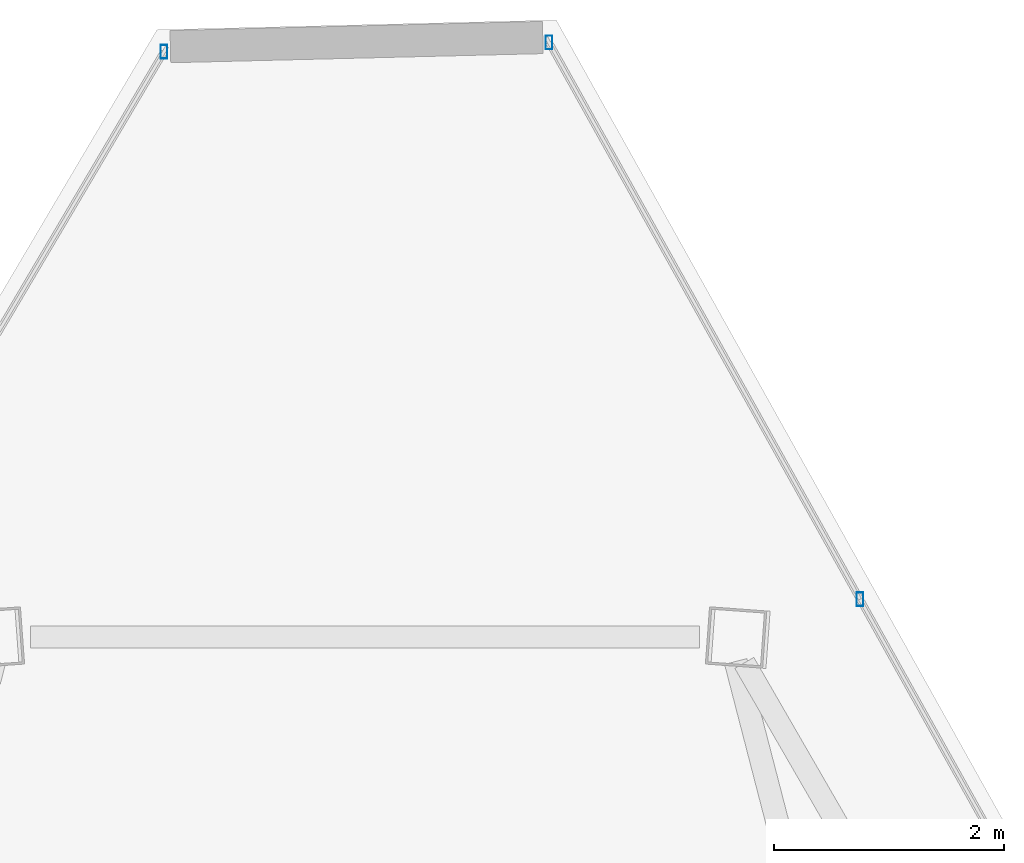
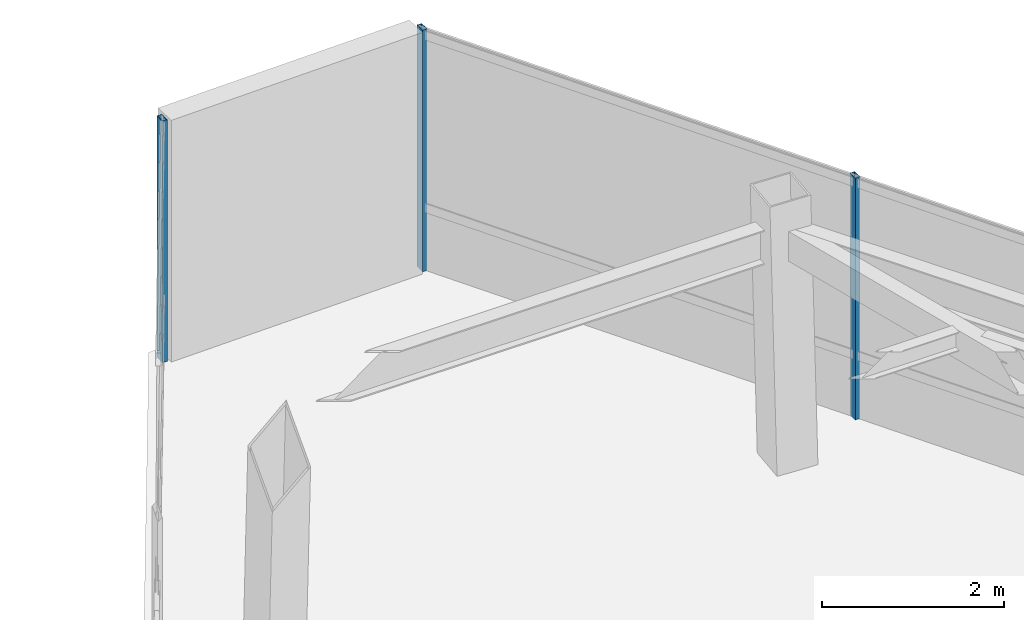
# One storey, part 36 of 44: 3 members, 2 elements without a shape of their own.
"""IFC4 building model written with IfcOpenShell, lengths in metres."""

from ifc_helpers import new_model, si_unit, direction, frame, origin, origin_2d, place, context, subcontext, project, spatial, hollow_rectangle, extrude, source, transform, mapped, material, material_profile, profile_set, type_object, type_shapes, element, aggregate, save


model = new_model("IFC4")

# Units and contexts
model_context = context("Model", 3, precision=1e-05, world=origin(), true_north=direction((0.0, 1.0)))
body_context = subcontext(model_context, "Body", "Model", "MODEL_VIEW")
ifc_project = project(units=[si_unit("LENGTHUNIT", "METRE"), si_unit("AREAUNIT", "SQUARE_METRE"), si_unit("VOLUMEUNIT", "CUBIC_METRE"), si_unit("PLANEANGLEUNIT", "RADIAN"), si_unit("MASSUNIT", "GRAM", prefix="KILO")], contexts=[model_context])

# Site, building, storey
site_placement = place(None, origin())
site = spatial("IfcSite", under=ifc_project, at=site_placement, CompositionType="ELEMENT")
building_placement = place(site_placement, origin())
building = spatial("IfcBuilding", under=site, at=building_placement, Name="Caelisora Broadcast Tower", CompositionType="ELEMENT")
storey_placement = place(building_placement, frame((0.0, 0.0, 280.949951171875)))
storey = spatial("IfcBuildingStorey", under=building, at=storey_placement, Name="L74", CompositionType="ELEMENT", Elevation=280.949951171875)

# Curtain wall, members
ifc_material_1 = material(Name="Unitised Aluminium and Low-E Glass Curtain Wall", Category="glass")
curtain_wall_type = type_object("IfcCurtainWallType", Name="CW-Z5", PredefinedType="NOTDEFINED", material=ifc_material_1)
curtain_wall_1_placement = place(storey_placement, origin())
curtain_wall_1 = element("IfcCurtainWall", 1, at=curtain_wall_1_placement, inside=storey, type_object=curtain_wall_type, Name="L74 curtain wall CW-Z5", PredefinedType="NOTDEFINED")
ifc_material_2 = material(Name="Aluminium 6063-T6 Anodised Terracotta Bronze", Category="aluminium")
ifc_material_profile = material_profile(ifc_material_2, hollow_rectangle(XDim=0.06005859375, YDim=0.1201171875, WallThickness=0.0029296875, at=origin_2d()), Name="Aluminium 6063-T6 Anodised Terracotta Bronze")
ifc_profile_set = profile_set([ifc_material_profile], Name="Aluminium 6063-T6 Anodised Terracotta Bronze")
member_type = type_object("IfcMemberType", Name="CWM-04", PredefinedType="MULLION", material=ifc_profile_set)
shared_shape = source(origin(), body_context, "Body", "SweptSolid", [
    extrude(hollow_rectangle(XDim=0.06005859375, YDim=0.1201171875, WallThickness=0.0029296875, at=origin_2d()), origin(), (0.0, 0.0, 1.0), 3.25),
])
type_shapes(member_type, [shared_shape])
member_1_placement = place(storey_placement, frame((39.602294921875, 51.900390625, 0.0), z_axis=(0.0, 0.0, 1.0), x_axis=(1.0, 0.0, 0.0)))
member_1 = element("IfcMember", 2, at=member_1_placement, type_object=member_type, Name="L74-CW-B01 mullion #0", PredefinedType="MULLION", context=body_context, shape_type="MappedRepresentation", body=[
    mapped(shared_shape, transform((0.0, 0.0, 0.0), scale=1.0)),
])
member_2_placement = place(storey_placement, frame((42.309326171875, 47.052978515625, 0.0), z_axis=(0.0, 0.0, 1.0), x_axis=(1.0, 0.0, 0.0)))
member_2 = element("IfcMember", 3, at=member_2_placement, type_object=member_type, Name="L74-CW-B01 mullion #1", PredefinedType="MULLION", context=body_context, shape_type="MappedRepresentation", body=[
    mapped(shared_shape, transform((0.0, 0.0, 0.0), scale=1.0)),
])
aggregate(curtain_wall_1, [member_1, member_2])

# Curtain wall, member
curtain_wall_2_placement = place(storey_placement, origin())
curtain_wall_2 = element("IfcCurtainWall", 4, at=curtain_wall_2_placement, inside=storey, type_object=curtain_wall_type, Name="L74 curtain wall CW-Z5", PredefinedType="NOTDEFINED")
member_3_placement = place(storey_placement, frame((36.25048828125, 51.820068359375, 0.0), z_axis=(0.0, 0.0, 1.0), x_axis=(1.0, 0.0, 0.0)))
member_3 = element("IfcMember", 5, at=member_3_placement, type_object=member_type, Name="L74-CW-B11 mullion #3", PredefinedType="MULLION", context=body_context, shape_type="MappedRepresentation", body=[
    mapped(shared_shape, transform((0.0, 0.0, 0.0), scale=1.0)),
])
aggregate(curtain_wall_2, [member_3])

save(model, "model.ifc")
